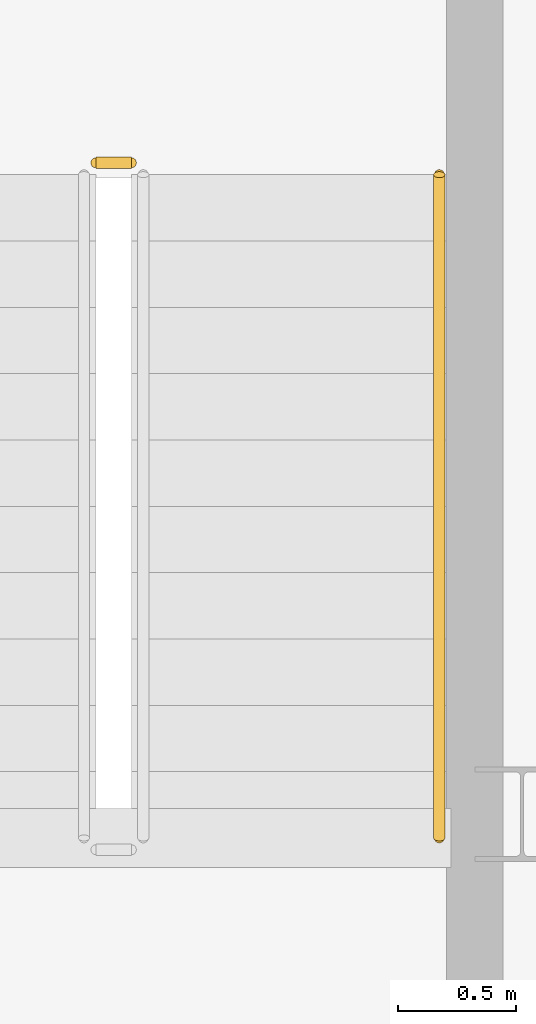
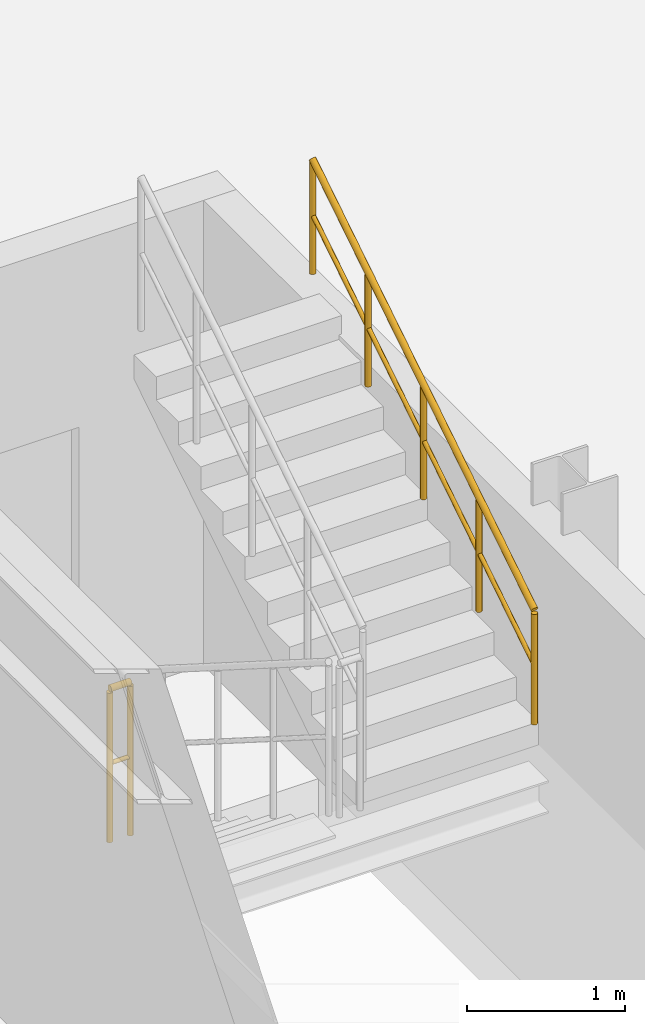
# One storey, part 12 of 12: 2 railings.
"""IFC4 building model written with IfcOpenShell, lengths in metres."""

from ifc_helpers import new_model, si_unit, direction, frame, origin, origin_2d, place, context, subcontext, project, spatial, circle, extrude, material, type_object, element, save


model = new_model("IFC4")

# Units and contexts
model_context = context("Model", 3, precision=1e-05, world=origin(), true_north=direction((0.0, 1.0)))
body_context = subcontext(model_context, "Body", "Model", "MODEL_VIEW")
ifc_project = project(units=[si_unit("LENGTHUNIT", "METRE"), si_unit("AREAUNIT", "SQUARE_METRE"), si_unit("VOLUMEUNIT", "CUBIC_METRE"), si_unit("PLANEANGLEUNIT", "RADIAN"), si_unit("MASSUNIT", "GRAM", prefix="KILO")], contexts=[model_context])

# Site, building, storey
site_placement = place(None, origin())
site = spatial("IfcSite", under=ifc_project, at=site_placement, CompositionType="ELEMENT")
building_placement = place(site_placement, origin())
building = spatial("IfcBuilding", under=site, at=building_placement, Name="Miruveldt Soraemaru", CompositionType="ELEMENT")
storey_placement = place(building_placement, frame((0.0, 0.0, -7.800048828125)))
storey = spatial("IfcBuildingStorey", under=building, at=storey_placement, Name="B2", CompositionType="ELEMENT", Elevation=-7.800048828125)

# Railings
ifc_material = material(Name="Steel S355 (355 MPa)", Category="steel")
railing_type_1 = type_object("IfcRailingType", Name="RAIL-HR-900", PredefinedType="HANDRAIL", material=ifc_material)
railing_1_placement = place(storey_placement, frame((59.60009765625, 40.39990234375, 2.12744140625)))
element("IfcRailing", 1, at=railing_1_placement, inside=storey, type_object=railing_type_1, Name="B2 ST-4 stair handrail 2", PredefinedType="HANDRAIL", context=body_context, shape_type="SweptSolid", body=[
    extrude(circle(Radius=0.02392578125, at=origin_2d()), frame((0.0, 0.0, 0.8759765625), z_axis=(0.0, 0.844908973607, 0.534910110503), x_axis=(-1.0, 0.0, 0.0)), (0.0, 0.0, 1.0), 3.31396484375),
    extrude(circle(Radius=0.01611328125, at=origin_2d()), frame((0.0, 0.0, 0.449951171875), z_axis=(0.0, 0.844908973607, 0.534910110503), x_axis=(-1.0, 0.0, 0.0)), (0.0, 0.0, 1.0), 3.31396484375),
    extrude(circle(Radius=0.02099609375, at=origin_2d()), origin(), (0.0, 0.0, 1.0), 0.851806640625),
    extrude(circle(Radius=0.02099609375, at=origin_2d()), frame((0.0, 0.699951171875, 0.443115234375)), (0.0, 0.0, 1.0), 0.851806640625),
    extrude(circle(Radius=0.02099609375, at=origin_2d()), frame((0.0, 1.39990234375, 0.88623046875)), (0.0, 0.0, 1.0), 0.851806640625),
    extrude(circle(Radius=0.02099609375, at=origin_2d()), frame((0.0, 2.10009765625, 1.32958984375)), (0.0, 0.0, 1.0), 0.851806640625),
    extrude(circle(Radius=0.02099609375, at=origin_2d()), frame((0.0, 2.800048828125, 1.772705078125)), (0.0, 0.0, 1.0), 0.851806640625),
])
railing_type_2 = type_object("IfcRailingType", Name="RAIL-STGUARD-1200", PredefinedType="GUARDRAIL", material=ifc_material)
railing_2_placement = place(storey_placement, frame((58.14990234375, 43.25, 0.0)))
element("IfcRailing", 2, at=railing_2_placement, inside=storey, type_object=railing_type_2, Name="B2 ST-4 stair guard 4", PredefinedType="GUARDRAIL", context=body_context, shape_type="SweptSolid", body=[
    extrude(circle(Radius=0.02392578125, at=origin_2d()), frame((0.0, 0.0, 1.17578125), z_axis=(1.0, 0.0, 0.0), x_axis=(0.0, 1.0, 0.0)), (0.0, 0.0, 1.0), 0.150146484375),
    extrude(circle(Radius=0.01611328125, at=origin_2d()), frame((0.0, 0.0, 0.60009765625), z_axis=(1.0, 0.0, 0.0), x_axis=(0.0, 1.0, 0.0)), (0.0, 0.0, 1.0), 0.150146484375),
    extrude(circle(Radius=0.02099609375, at=origin_2d()), origin(), (0.0, 0.0, 1.0), 1.15185546875),
    extrude(circle(Radius=0.02099609375, at=origin_2d()), frame((0.150146484375, 0.0, 0.0)), (0.0, 0.0, 1.0), 1.15185546875),
])

save(model, "model.ifc")
